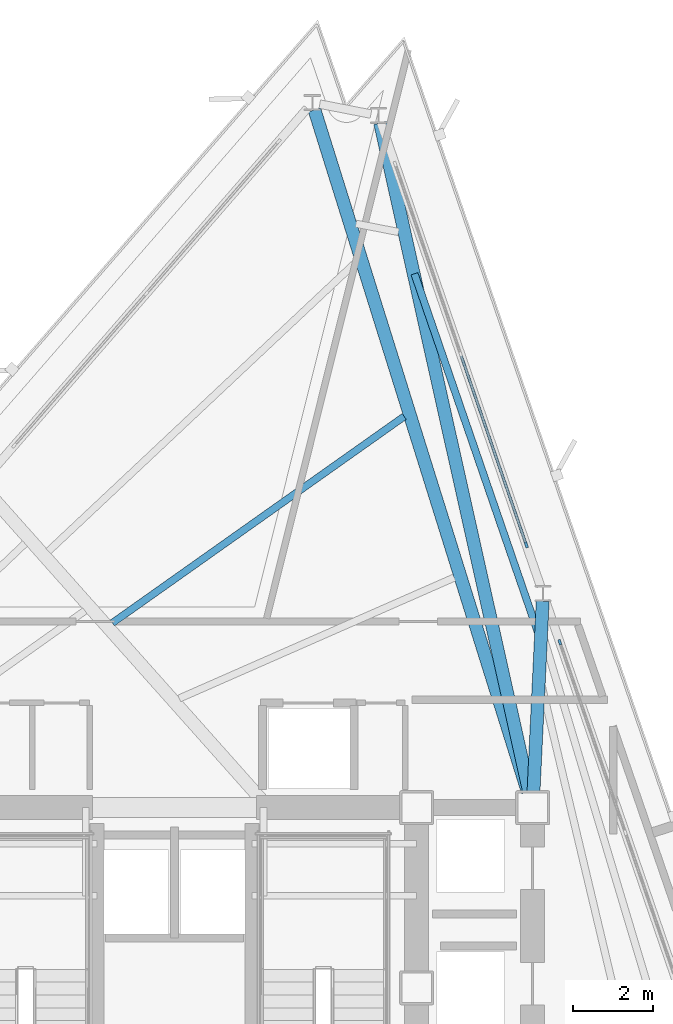
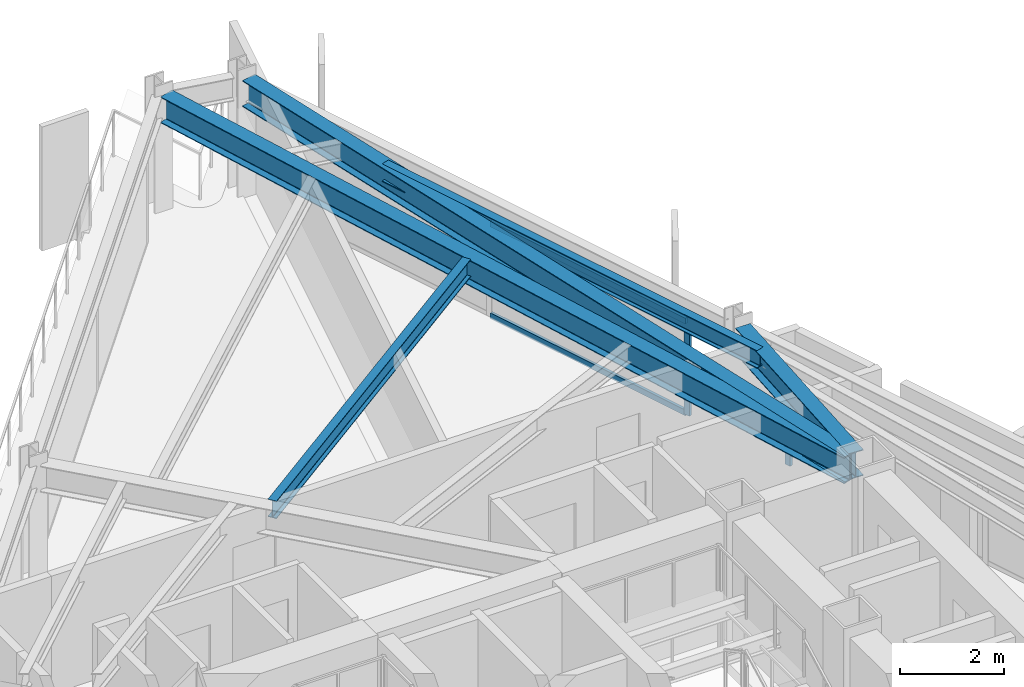
# One storey, part 5 of 13: 5 beams, 4 members, 2 elements without a shape of their own.
"""IFC4 building model written with IfcOpenShell, lengths in metres."""

from ifc_helpers import new_model, si_unit, direction, frame, origin, origin_2d, place, context, subcontext, project, spatial, rectangle, i_section, extrude, material, layer, layer_set, material_profile, profile_set, type_object, element, aggregate, save


model = new_model("IFC4")

# Units and contexts
model_context = context("Model", 3, precision=1e-05, world=origin(), true_north=direction((0.0, 1.0)))
body_context = subcontext(model_context, "Body", "Model", "MODEL_VIEW")
ifc_project = project(units=[si_unit("LENGTHUNIT", "METRE"), si_unit("AREAUNIT", "SQUARE_METRE"), si_unit("VOLUMEUNIT", "CUBIC_METRE"), si_unit("PLANEANGLEUNIT", "RADIAN"), si_unit("MASSUNIT", "GRAM", prefix="KILO")], contexts=[model_context])

# Site, building, storey
site_placement = place(None, origin())
site = spatial("IfcSite", under=ifc_project, at=site_placement, CompositionType="ELEMENT")
building_placement = place(site_placement, origin())
building = spatial("IfcBuilding", under=site, at=building_placement, Name="Rocaltana Carrier Exchange", CompositionType="ELEMENT")
storey_placement = place(building_placement, frame((0.0, 0.0, 150.239990234375)))
storey = spatial("IfcBuildingStorey", under=building, at=storey_placement, Name="L47", CompositionType="ELEMENT", Elevation=150.239990234375)

# Curtain wall, member
ifc_material_1 = material(Name="Aluminium 6063-T6", Category="aluminium")
ifc_layer = layer(ifc_material_1, 0.135009765625)
ifc_layer_set = layer_set([ifc_layer], Name="Aluminium 6063-T6")
curtain_wall_type = type_object("IfcCurtainWallType", Name="Upper-Mid Acoustic Curtain Wall CW-04", PredefinedType="NOTDEFINED", material=ifc_layer_set)
curtain_wall_1_placement = place(storey_placement, origin())
curtain_wall_1 = element("IfcCurtainWall", 1, at=curtain_wall_1_placement, inside=storey, type_object=curtain_wall_type, Name="L47 CW-04 Run CW-L47-F1S2", PredefinedType="NOTDEFINED")
ifc_material_2 = material(Name="Aluminium 6063-T6", Category="aluminium")
ifc_material_profile_1 = material_profile(ifc_material_2, rectangle(XDim=0.06494140625, YDim=0.135009765625, at=origin_2d()), Name="AL-65X135")
ifc_profile_set_1 = profile_set([ifc_material_profile_1], Name="Aluminium 6063-T6")
member_type_1 = type_object("IfcMemberType", Name="CW-04 Mullion AL-65X135", PredefinedType="MULLION", material=ifc_profile_set_1)
member_1_placement = place(storey_placement, frame((9.62548828125, 8.638671875, 0.0), z_axis=(0.0, 0.0, 1.0), x_axis=(-0.945520754562, -0.32556182622, 0.0)))
member_1 = element("IfcMember", 2, at=member_1_placement, type_object=member_type_1, Name="CW-04 mullion 3", PredefinedType="MULLION", context=body_context, shape_type="SweptSolid", body=[
    extrude(rectangle(XDim=0.06494140625, YDim=0.135009765625, at=origin_2d()), origin(), (0.0, 0.0, 1.0), 2.218017578125),
])
aggregate(curtain_wall_1, [member_1])

# Curtain wall, members
curtain_wall_2_placement = place(storey_placement, origin())
curtain_wall_2 = element("IfcCurtainWall", 3, at=curtain_wall_2_placement, inside=storey, type_object=curtain_wall_type, Name="L47 CW-04 Run CW-L47-F1S3", PredefinedType="NOTDEFINED")
member_2_placement = place(storey_placement, frame((8.79052734375, 11.063720703125, 0.0), z_axis=(0.0, 0.0, 1.0), x_axis=(-0.945521800517, -0.325558788464, 0.0)))
member_2 = element("IfcMember", 4, at=member_2_placement, type_object=member_type_1, Name="CW-04 mullion 1", PredefinedType="MULLION", context=body_context, shape_type="SweptSolid", body=[
    extrude(rectangle(XDim=0.06494140625, YDim=0.135009765625, at=origin_2d()), origin(), (0.0, 0.0, 1.0), 2.218017578125),
])
ifc_material_3 = material(Name="Aluminium 6063-T6", Category="aluminium")
ifc_material_profile_2 = material_profile(ifc_material_3, rectangle(XDim=0.06494140625, YDim=0.135009765625, at=origin_2d()), Name="AL-65X135")
ifc_profile_set_2 = profile_set([ifc_material_profile_2], Name="Aluminium 6063-T6")
member_type_2 = type_object("IfcMemberType", Name="CW-04 Transom AL-65X135", PredefinedType="USERDEFINED", material=ifc_profile_set_2)
member_3_placement = place(storey_placement, frame((8.77978515625, 11.094482421875, 0.032470703125), z_axis=(-0.325542462737, 0.945527421578, 0.0), x_axis=(-0.945527421578, -0.325542462737, 0.0)))
member_3 = element("IfcMember", 5, at=member_3_placement, type_object=member_type_2, Name="CW-04 transom 1.1", ObjectType="TRANSOM", PredefinedType="USERDEFINED", context=body_context, shape_type="SweptSolid", body=[
    extrude(rectangle(XDim=0.06494140625, YDim=0.135009765625, at=origin_2d()), origin(), (0.0, 0.0, 1.0), 4.96923828125),
])
member_4_placement = place(storey_placement, frame((8.77978515625, 11.094482421875, 2.185546875), z_axis=(-0.325542462737, 0.945527421578, 0.0), x_axis=(-0.945527421578, -0.325542462737, 0.0)))
member_4 = element("IfcMember", 6, at=member_4_placement, type_object=member_type_2, Name="CW-04 transom 1.2", ObjectType="TRANSOM", PredefinedType="USERDEFINED", context=body_context, shape_type="SweptSolid", body=[
    extrude(rectangle(XDim=0.06494140625, YDim=0.135009765625, at=origin_2d()), origin(), (0.0, 0.0, 1.0), 4.96923828125),
])
aggregate(curtain_wall_2, [member_2, member_3, member_4])

# Beams
ifc_material_4 = material(Name="Steel S355", Category="steel")
ifc_material_profile_3 = material_profile(ifc_material_4, i_section(OverallWidth=0.179931640625, OverallDepth=0.4130859375, WebThickness=0.009765625, FlangeThickness=0.01611328125, FilletRadius=0.012939453125, at=origin_2d()), Name="W16X50")
ifc_profile_set_3 = profile_set([ifc_material_profile_3], Name="Steel S355")
beam_type_1 = type_object("IfcBeamType", Name="Floor Joist W16X50", PredefinedType="JOIST", material=ifc_profile_set_3)
beam_1_placement = place(storey_placement, frame((9.1005859375, 8.8212890625, 2.58154296875), z_axis=(-0.325576687482, 0.9455156374, 0.0), x_axis=(-0.9455156374, -0.325576687482, 0.0)))
element("IfcBeam", 7, at=beam_1_placement, inside=storey, type_object=beam_type_1, Name="FJ-L47-03-3", PredefinedType="JOIST", context=body_context, shape_type="SweptSolid", body=[
    extrude(i_section(OverallWidth=0.179931640625, OverallDepth=0.4130859375, WebThickness=0.009765625, FlangeThickness=0.01611328125, FilletRadius=0.012939453125, at=origin_2d()), origin(), (0.0, 0.0, 1.0), 9.5419921875),
])
beam_2_placement = place(storey_placement, frame((5.737548828125, 14.27587890625, 2.58154296875), z_axis=(-0.816285489074, -0.577648682443, 0.0), x_axis=(0.577648682443, -0.816285489074, 0.0)))
element("IfcBeam", 8, at=beam_2_placement, inside=storey, type_object=beam_type_1, Name="FJ-L47-05-2", PredefinedType="JOIST", context=body_context, shape_type="SweptSolid", body=[
    extrude(i_section(OverallWidth=0.179931640625, OverallDepth=0.4130859375, WebThickness=0.009765625, FlangeThickness=0.01611328125, FilletRadius=0.012939453125, at=origin_2d()), origin(), (0.0, 0.0, 1.0), 8.931396484375),
])
ifc_material_5 = material(Name="Steel S355", Category="steel")
ifc_material_profile_4 = material_profile(ifc_material_5, i_section(OverallWidth=0.323974609375, OverallDepth=0.611083984375, WebThickness=0.0126953125, FlangeThickness=0.01904296875, FilletRadius=0.01611328125, at=origin_2d()), Name="W24X104")
ifc_profile_set_4 = profile_set([ifc_material_profile_4], Name="Steel S355")
beam_type_2 = type_object("IfcBeamType", Name="Radial Girder W24X104", PredefinedType="BEAM", material=ifc_profile_set_4)
beam_3_placement = place(storey_placement, frame((8.97021484375, 4.91650390625, 2.482421875), z_axis=(0.04811960059, 0.998841581052, 0.0), x_axis=(-0.998841581052, 0.04811960059, 0.0)))
element("IfcBeam", 9, at=beam_3_placement, inside=storey, type_object=beam_type_2, Name="RG-L47-03", PredefinedType="BEAM", context=body_context, shape_type="SweptSolid", body=[
    extrude(i_section(OverallWidth=0.323974609375, OverallDepth=0.611083984375, WebThickness=0.0126953125, FlangeThickness=0.01904296875, FilletRadius=0.01611328125, at=origin_2d()), origin(), (0.0, 0.0, 1.0), 4.7490234375),
])
beam_4_placement = place(storey_placement, frame((8.859375, 4.906982421875, 2.482421875), z_axis=(-0.217543729605, 0.976050575385, 0.0), x_axis=(-0.976050575385, -0.217543729605, 0.0)))
element("IfcBeam", 10, at=beam_4_placement, inside=storey, type_object=beam_type_2, Name="RG-L47-04", PredefinedType="BEAM", context=body_context, shape_type="SweptSolid", body=[
    extrude(i_section(OverallWidth=0.323974609375, OverallDepth=0.611083984375, WebThickness=0.0126953125, FlangeThickness=0.01904296875, FilletRadius=0.01611328125, at=origin_2d()), origin(), (0.0, 0.0, 1.0), 17.1123046875),
])
beam_5_placement = place(storey_placement, frame((8.825439453125, 4.89794921875, 2.482421875), z_axis=(-0.298430740748, 0.954431292958, 0.0), x_axis=(-0.954431292958, -0.298430740748, 0.0)))
element("IfcBeam", 11, at=beam_5_placement, inside=storey, type_object=beam_type_2, Name="RG-L47-05", PredefinedType="BEAM", context=body_context, shape_type="SweptSolid", body=[
    extrude(i_section(OverallWidth=0.323974609375, OverallDepth=0.611083984375, WebThickness=0.0126953125, FlangeThickness=0.01904296875, FilletRadius=0.01611328125, at=origin_2d()), origin(), (0.0, 0.0, 1.0), 17.8505859375),
])

save(model, "model.ifc")
